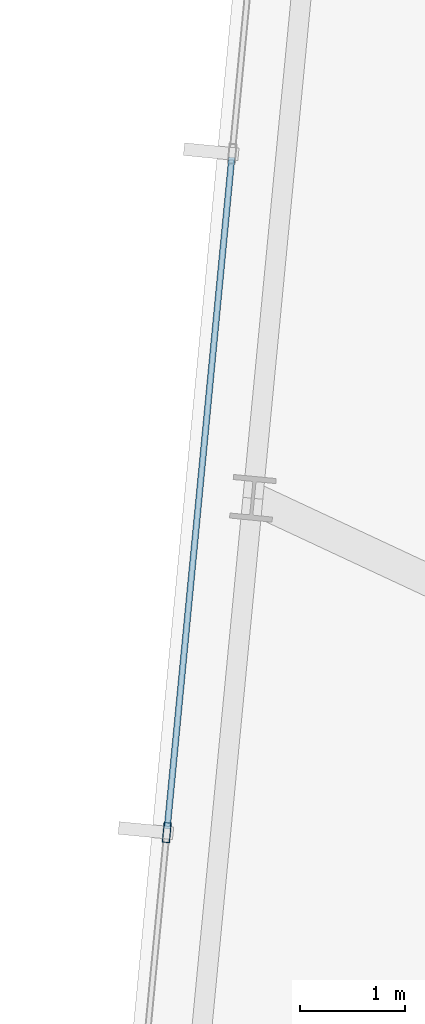
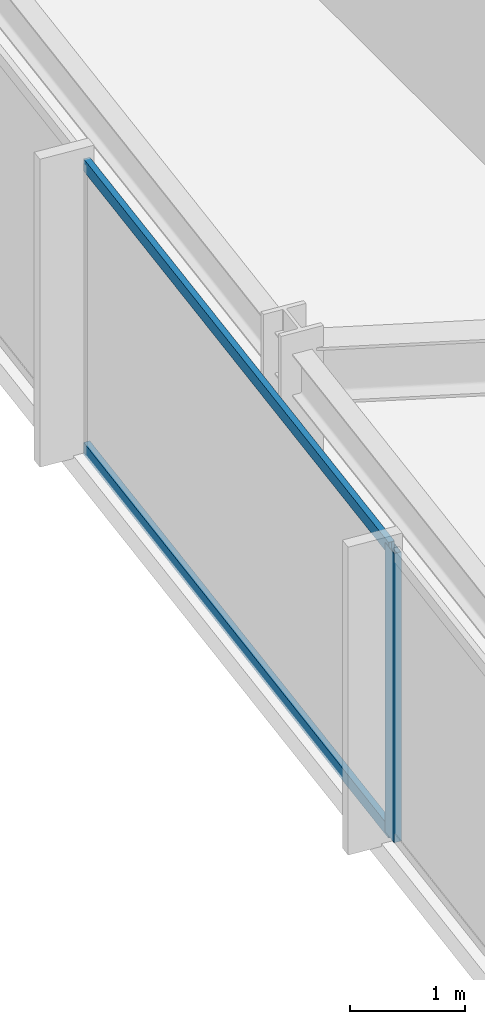
# One storey, part 8 of 38: 3 members, 1 element without a shape of its own.
"""IFC4 building model written with IfcOpenShell, lengths in metres."""

from ifc_helpers import new_model, si_unit, direction, frame, origin, origin_2d, place, context, subcontext, project, spatial, hollow_rectangle, extrude, material, material_profile, profile_set, type_object, element, aggregate, save


model = new_model("IFC4")

# Units and contexts
model_context = context("Model", 3, precision=1e-05, world=origin(), true_north=direction((0.0, 1.0)))
body_context = subcontext(model_context, "Body", "Model", "MODEL_VIEW")
ifc_project = project(units=[si_unit("LENGTHUNIT", "METRE"), si_unit("AREAUNIT", "SQUARE_METRE"), si_unit("VOLUMEUNIT", "CUBIC_METRE"), si_unit("PLANEANGLEUNIT", "RADIAN"), si_unit("MASSUNIT", "GRAM", prefix="KILO")], contexts=[model_context])

# Site, building, storey
site_placement = place(None, origin())
site = spatial("IfcSite", under=ifc_project, at=site_placement, CompositionType="ELEMENT")
building_placement = place(site_placement, origin())
building = spatial("IfcBuilding", under=site, at=building_placement, Name="Yelkora Congress Tower", CompositionType="ELEMENT")
storey_placement = place(building_placement, frame((0.0, 0.0, 185.300048828125)))
storey = spatial("IfcBuildingStorey", under=building, at=storey_placement, Name="L51", CompositionType="ELEMENT", Elevation=185.300048828125)

# Curtain wall, members
ifc_material_1 = material(Name="Anodised aluminium and insulated glass", Category="aluminium")
curtain_wall_type = type_object("IfcCurtainWallType", Name="CW-SYS-B3", PredefinedType="NOTDEFINED", material=ifc_material_1)
curtain_wall_placement = place(storey_placement, origin())
curtain_wall = element("IfcCurtainWall", 1, at=curtain_wall_placement, inside=storey, type_object=curtain_wall_type, Name="L51 Unitised Curtain Wall 5", PredefinedType="NOTDEFINED")
ifc_material_2 = material(Name="Anodised aluminium 6063-T6", Category="aluminium")
ifc_material_profile_1 = material_profile(ifc_material_2, hollow_rectangle(XDim=0.070068359375, YDim=0.18994140625, WallThickness=0.00390625, at=origin_2d()), Name="ALU 70x190x4")
ifc_profile_set_1 = profile_set([ifc_material_profile_1], Name="Anodised aluminium 6063-T6")
member_type_1 = type_object("IfcMemberType", Name="MEM-ML-B3", PredefinedType="MULLION", material=ifc_profile_set_1)
member_1_placement = place(storey_placement, frame((2.546142578125, 29.416259765625, 0.0), z_axis=(0.0, 0.0, 1.0), x_axis=(-0.995396242473, 0.095845294465, 0.0)))
member_1 = element("IfcMember", 2, at=member_1_placement, type_object=member_type_1, Name="CW-B3 mullion 3", PredefinedType="MULLION", context=body_context, shape_type="SweptSolid", body=[
    extrude(hollow_rectangle(XDim=0.070068359375, YDim=0.18994140625, WallThickness=0.00390625, at=origin_2d()), origin(), (0.0, 0.0, 1.0), 3.079833984375),
])
ifc_material_profile_2 = material_profile(ifc_material_2, hollow_rectangle(XDim=0.06005859375, YDim=0.1298828125, WallThickness=0.00390625, at=origin_2d()), Name="ALU 60x130x4")
ifc_profile_set_2 = profile_set([ifc_material_profile_2], Name="Anodised aluminium 6063-T6")
member_type_2 = type_object("IfcMemberType", Name="MEM-TR-B3", PredefinedType="USERDEFINED", material=ifc_profile_set_2)
member_2_placement = place(storey_placement, frame((2.549560546875, 29.450927734375, 0.030029296875), z_axis=(0.095843682057, 0.995396397728, 0.0), x_axis=(-0.995396397728, 0.095843682057, 0.0)))
member_2 = element("IfcMember", 3, at=member_2_placement, type_object=member_type_2, Name="CW-B3 transom 3.1", ObjectType="TRANSOM", PredefinedType="USERDEFINED", context=body_context, shape_type="SweptSolid", body=[
    extrude(hollow_rectangle(XDim=0.06005859375, YDim=0.1298828125, WallThickness=0.00390625, at=origin_2d()), origin(), (0.0, 0.0, 1.0), 6.4140625),
])
member_3_placement = place(storey_placement, frame((2.549560546875, 29.450927734375, 3.050048828125), z_axis=(0.095843682057, 0.995396397728, 0.0), x_axis=(-0.995396397728, 0.095843682057, 0.0)))
member_3 = element("IfcMember", 4, at=member_3_placement, type_object=member_type_2, Name="CW-B3 transom 3.2", ObjectType="TRANSOM", PredefinedType="USERDEFINED", context=body_context, shape_type="SweptSolid", body=[
    extrude(hollow_rectangle(XDim=0.06005859375, YDim=0.1298828125, WallThickness=0.00390625, at=origin_2d()), origin(), (0.0, 0.0, 1.0), 6.4140625),
])
aggregate(curtain_wall, [member_1, member_2, member_3])

save(model, "model.ifc")
